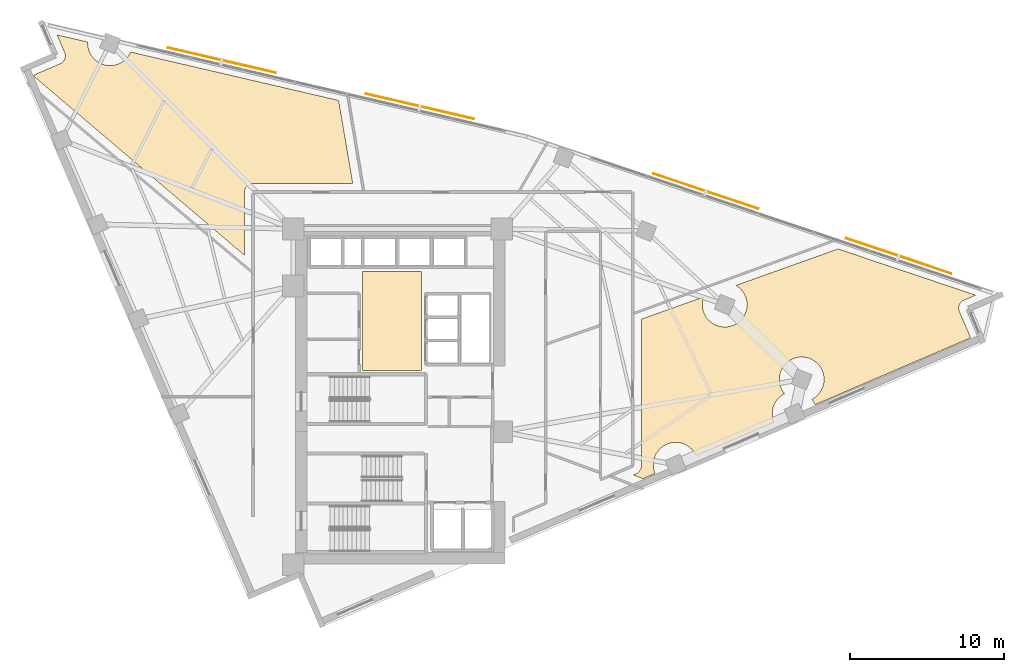
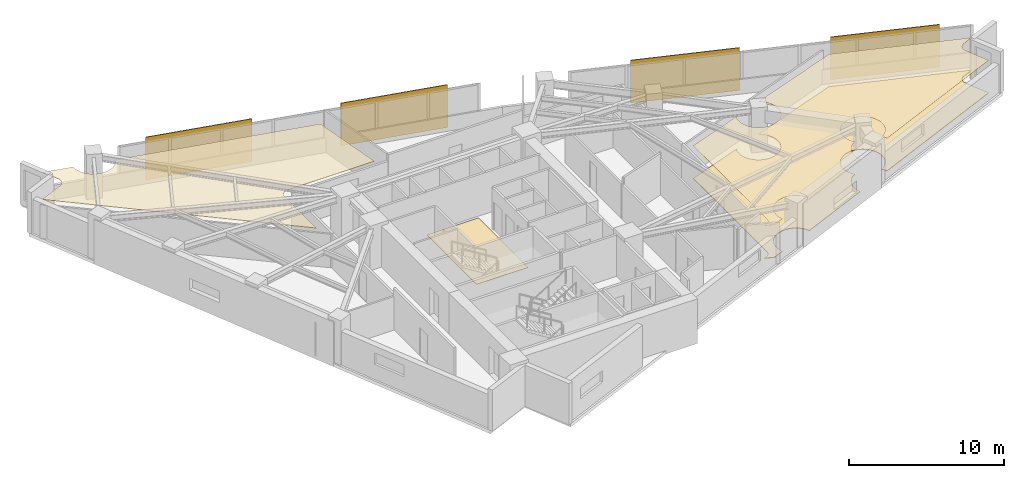
# One storey, part 14 of 14: 4 coverings, 4 shading devices.
"""IFC4 building model written with IfcOpenShell, lengths in metres."""

from ifc_helpers import new_model, si_unit, direction, frame, origin, origin_2d, place, context, subcontext, project, spatial, polyline, rectangle, outline, extrude, material, layer, layer_set, type_object, element, save


model = new_model("IFC4")

# Units and contexts
model_context = context("Model", 3, precision=1e-05, world=origin(), true_north=direction((0.0, 1.0)))
body_context = subcontext(model_context, "Body", "Model", "MODEL_VIEW")
ifc_project = project(units=[si_unit("LENGTHUNIT", "METRE"), si_unit("AREAUNIT", "SQUARE_METRE"), si_unit("VOLUMEUNIT", "CUBIC_METRE"), si_unit("PLANEANGLEUNIT", "RADIAN"), si_unit("MASSUNIT", "GRAM", prefix="KILO")], contexts=[model_context])

# Site, building, storey
site_placement = place(None, origin())
site = spatial("IfcSite", under=ifc_project, at=site_placement, CompositionType="ELEMENT")
building_placement = place(site_placement, origin())
building = spatial("IfcBuilding", under=site, at=building_placement, Name="Narakoshi Arena Tower", CompositionType="ELEMENT")
storey_placement = place(building_placement, frame((0.0, 0.0, 182.6201171875)))
storey = spatial("IfcBuildingStorey", under=building, at=storey_placement, Name="L49", CompositionType="ELEMENT", Elevation=182.6201171875)

# Coverings
ifc_material_1 = material(Name="Acoustic mineral-fibre ceiling tile")
ifc_layer_1 = layer(ifc_material_1, 0.02001953125)
ifc_layer_set_1 = layer_set([ifc_layer_1], Name="Acoustic mineral-fibre ceiling tile")
covering_type_1 = type_object("IfcCoveringType", Name="COV-CLG-AC20", PredefinedType="CEILING", material=ifc_layer_set_1)
covering_1_placement = place(storey_placement, frame((0.0, 0.0, 2.58984375)))
element("IfcCovering", 1, at=covering_1_placement, inside=storey, type_object=covering_type_1, Name="L49 Suspended Acoustic Ceiling 1", PredefinedType="CEILING", context=body_context, shape_type="SweptSolid", body=[
    extrude(outline(polyline([(94.26708984375, 40.621337890625), (94.31494140625, 40.644775390625), (94.360595703125, 40.672607421875), (94.403076171875, 40.705078125), (94.4423828125, 40.7412109375), (94.477783203125, 40.781005859375), (94.50927734375, 40.82421875), (94.53662109375, 40.8701171875), (94.55908203125, 40.91845703125), (94.576904296875, 40.96875), (94.589599609375, 41.0205078125), (94.597412109375, 41.073486328125), (94.60009765625, 41.126708984375), (94.60009765625, 50.64501953125), (98.656494140625, 52.09326171875), (98.625244140625, 52.00634765625), (98.5908203125, 51.868408203125), (98.56982421875, 51.7275390625), (98.56298828125, 51.58544921875), (98.56982421875, 51.443359375), (98.5908203125, 51.302490234375), (98.625244140625, 51.16455078125), (98.67333984375, 51.030517578125), (98.734130859375, 50.902099609375), (98.807373046875, 50.77978515625), (98.89208984375, 50.66552734375), (98.987548828125, 50.560302734375), (99.093017578125, 50.464599609375), (99.207275390625, 50.3798828125), (99.329345703125, 50.306640625), (99.4580078125, 50.245849609375), (99.592041015625, 50.197998046875), (99.72998046875, 50.163330078125), (99.870849609375, 50.142578125), (100.012939453125, 50.135498046875), (100.155029296875, 50.142578125), (100.2958984375, 50.163330078125), (100.433837890625, 50.197998046875), (100.56787109375, 50.245849609375), (100.6962890625, 50.306640625), (100.818603515625, 50.3798828125), (100.932861328125, 50.464599609375), (101.0380859375, 50.560302734375), (101.1337890625, 50.66552734375), (101.218505859375, 50.77978515625), (101.291748046875, 50.902099609375), (101.3525390625, 51.030517578125), (101.400390625, 51.16455078125), (101.43505859375, 51.302490234375), (101.455810546875, 51.443359375), (101.462890625, 51.58544921875), (101.455810546875, 51.7275390625), (101.43505859375, 51.868408203125), (101.400390625, 52.00634765625), (101.3525390625, 52.140380859375), (101.291748046875, 52.26904296875), (101.218505859375, 52.39111328125), (101.1337890625, 52.50537109375), (101.0380859375, 52.61083984375), (100.932861328125, 52.706298828125), (100.818603515625, 52.791015625), (100.740966796875, 52.837646484375), (107.366455078125, 55.20361328125), (116.30224609375, 52.20361328125), (115.52685546875, 51.870361328125), (115.478515625, 51.8466796875), (115.4326171875, 51.818359375), (115.3896484375, 51.78564453125), (115.35009765625, 51.748779296875), (115.314208984375, 51.70849609375), (115.28271484375, 51.664794921875), (115.255615234375, 51.617919921875), (115.233154296875, 51.56884765625), (115.215576171875, 51.517822265625), (115.203125, 51.46533203125), (115.196044921875, 51.411865234375), (115.194091796875, 51.35791015625), (115.197509765625, 51.303955078125), (115.2060546875, 51.250732421875), (115.2197265625, 51.198486328125), (115.23876953125, 51.14794921875), (115.97412109375, 49.435791015625), (105.87646484375, 45.09765625), (105.828125, 45.199951171875), (105.7548828125, 45.322021484375), (105.670166015625, 45.436279296875), (105.662109375, 45.4453125), (105.693359375, 45.4599609375), (105.8154296875, 45.533203125), (105.9296875, 45.617919921875), (106.03515625, 45.71337890625), (106.130859375, 45.81884765625), (106.215576171875, 45.93310546875), (106.288818359375, 46.055419921875), (106.349609375, 46.183837890625), (106.3974609375, 46.31787109375), (106.431884765625, 46.455810546875), (106.452880859375, 46.5966796875), (106.4599609375, 46.73876953125), (106.452880859375, 46.880859375), (106.431884765625, 47.021728515625), (106.3974609375, 47.15966796875), (106.349609375, 47.293701171875), (106.288818359375, 47.42236328125), (106.215576171875, 47.54443359375), (106.130859375, 47.65869140625), (106.03515625, 47.76416015625), (105.9296875, 47.859619140625), (105.8154296875, 47.9443359375), (105.693359375, 48.017578125), (105.564697265625, 48.078369140625), (105.430908203125, 48.12646484375), (105.292724609375, 48.160888671875), (105.152099609375, 48.181884765625), (105.010009765625, 48.188720703125), (104.867919921875, 48.181884765625), (104.72705078125, 48.160888671875), (104.589111328125, 48.12646484375), (104.455078125, 48.078369140625), (104.326416015625, 48.017578125), (104.204345703125, 47.9443359375), (104.090087890625, 47.859619140625), (103.984619140625, 47.76416015625), (103.888916015625, 47.65869140625), (103.80419921875, 47.54443359375), (103.731201171875, 47.42236328125), (103.67041015625, 47.293701171875), (103.622314453125, 47.15966796875), (103.587890625, 47.021728515625), (103.56689453125, 46.880859375), (103.559814453125, 46.73876953125), (103.56689453125, 46.5966796875), (103.587890625, 46.455810546875), (103.622314453125, 46.31787109375), (103.67041015625, 46.183837890625), (103.731201171875, 46.055419921875), (103.80419921875, 45.93310546875), (103.888916015625, 45.81884765625), (103.897216796875, 45.81005859375), (103.86572265625, 45.79541015625), (103.74365234375, 45.72216796875), (103.62939453125, 45.637451171875), (103.52392578125, 45.541748046875), (103.428466796875, 45.436279296875), (103.34375, 45.322021484375), (103.2705078125, 45.199951171875), (103.209716796875, 45.0712890625), (103.16162109375, 44.9375), (103.127197265625, 44.79931640625), (103.106201171875, 44.65869140625), (103.099365234375, 44.5166015625), (103.106201171875, 44.37451171875), (103.127197265625, 44.233642578125), (103.16162109375, 44.095703125), (103.209716796875, 43.961669921875), (103.21337890625, 43.95361328125), (98.1572265625, 41.78125), (98.10888671875, 41.883544921875), (98.03564453125, 42.005615234375), (97.950927734375, 42.1201171875), (97.85546875, 42.225341796875), (97.75, 42.321044921875), (97.6357421875, 42.40576171875), (97.513671875, 42.47900390625), (97.385009765625, 42.539794921875), (97.2509765625, 42.587646484375), (97.113037109375, 42.622314453125), (96.97216796875, 42.64306640625), (96.830078125, 42.650146484375), (96.68798828125, 42.64306640625), (96.547119140625, 42.622314453125), (96.4091796875, 42.587646484375), (96.275146484375, 42.539794921875), (96.146484375, 42.47900390625), (96.0244140625, 42.40576171875), (95.91015625, 42.321044921875), (95.8046875, 42.225341796875), (95.709228515625, 42.1201171875), (95.62451171875, 42.005615234375), (95.55126953125, 41.883544921875), (95.490478515625, 41.7548828125), (95.4423828125, 41.62109375), (95.407958984375, 41.48291015625), (95.38720703125, 41.34228515625), (95.380126953125, 41.2001953125), (95.38720703125, 41.05810546875), (95.407958984375, 40.917236328125), (95.4423828125, 40.779296875), (95.490478515625, 40.645263671875), (95.494384765625, 40.63720703125), (94.707763671875, 40.29931640625), (94.06884765625, 40.5361328125), (94.26708984375, 40.621337890625)])), origin(), (0.0, 0.0, 1.0), 0.02001953125),
])
ifc_material_2 = material(Name="Slatted oak acoustic timber baffle", Category="wood")
ifc_layer_2 = layer(ifc_material_2, 0.034912109375)
ifc_layer_set_2 = layer_set([ifc_layer_2], Name="Slatted oak acoustic timber baffle")
covering_type_2 = type_object("IfcCoveringType", Name="COV-CLG-WD35", PredefinedType="CEILING", material=ifc_layer_set_2)
covering_2_placement = place(storey_placement, frame((0.0, 0.0, 2.574951171875)))
element("IfcCovering", 2, at=covering_2_placement, inside=storey, type_object=covering_type_2, Name="L49 Suspended Acoustic Ceiling 2", PredefinedType="CEILING", context=body_context, shape_type="SweptSolid", body=[
    extrude(outline(polyline([(56.937255859375, 67.25), (56.983154296875, 67.2783203125), (57.02587890625, 67.31103515625), (57.065673828125, 67.347900390625), (57.101318359375, 67.38818359375), (57.1328125, 67.431884765625), (57.159912109375, 67.478759765625), (57.182373046875, 67.52783203125), (57.199951171875, 67.578857421875), (57.21240234375, 67.63134765625), (57.219482421875, 67.684814453125), (57.2216796875, 67.73876953125), (57.21826171875, 67.792724609375), (57.209716796875, 67.845947265625), (57.19580078125, 67.898193359375), (57.177001953125, 67.94873046875), (56.6845703125, 69.0947265625), (58.675537109375, 68.631103515625), (58.671630859375, 68.55126953125), (58.6787109375, 68.4091796875), (58.69970703125, 68.268310546875), (58.734130859375, 68.13037109375), (58.781982421875, 67.996337890625), (58.843017578125, 67.867919921875), (58.916015625, 67.74560546875), (59.000732421875, 67.63134765625), (59.096435546875, 67.52587890625), (59.201904296875, 67.430419921875), (59.316162109375, 67.345703125), (59.438232421875, 67.2724609375), (59.56689453125, 67.211669921875), (59.70068359375, 67.163818359375), (59.8388671875, 67.129150390625), (59.9794921875, 67.1083984375), (60.12158203125, 67.101318359375), (60.263916015625, 67.1083984375), (60.404541015625, 67.129150390625), (60.54248046875, 67.163818359375), (60.676513671875, 67.211669921875), (60.80517578125, 67.2724609375), (60.92724609375, 67.345703125), (61.04150390625, 67.430419921875), (61.14697265625, 67.52587890625), (61.24267578125, 67.63134765625), (61.327392578125, 67.74560546875), (61.400390625, 67.867919921875), (61.45556640625, 67.984130859375), (74.958251953125, 64.8408203125), (75.875, 59.449951171875), (69.39990234375, 59.449951171875), (69.34619140625, 59.447509765625), (69.292724609375, 59.439453125), (69.240234375, 59.42626953125), (69.189453125, 59.408203125), (69.140625, 59.385009765625), (69.094482421875, 59.357421875), (69.051025390625, 59.3251953125), (69.010986328125, 59.288818359375), (68.974853515625, 59.248779296875), (68.942626953125, 59.20556640625), (68.914794921875, 59.1591796875), (68.891845703125, 59.110595703125), (68.873779296875, 59.059814453125), (68.860595703125, 59.00732421875), (68.8525390625, 58.953857421875), (68.85009765625, 58.89990234375), (68.85009765625, 54.79052734375), (55.2333984375, 66.358642578125), (55.1767578125, 66.49072265625), (56.888671875, 67.226318359375), (56.937255859375, 67.25)])), origin(), (0.0, 0.0, 1.0), 0.034912109375),
])
ifc_material_3 = material(Name="Raised steel access floor panel", Category="steel")
ifc_layer_3 = layer(ifc_material_3, 0.044921875)
ifc_layer_set_3 = layer_set([ifc_layer_3], Name="Raised steel access floor panel")
covering_type_3 = type_object("IfcCoveringType", Name="COV-FLR-RF45", PredefinedType="FLOORING", material=ifc_layer_set_3)
covering_3_placement = place(storey_placement, origin())
element("IfcCovering", 3, at=covering_3_placement, inside=storey, type_object=covering_type_3, Name="L49 Raised Steel Access Floor", PredefinedType="FLOORING", context=body_context, shape_type="SweptSolid", body=[
    extrude(outline(polyline([(94.26708984375, 40.621337890625), (94.31494140625, 40.644775390625), (94.360595703125, 40.672607421875), (94.403076171875, 40.705078125), (94.4423828125, 40.7412109375), (94.477783203125, 40.781005859375), (94.50927734375, 40.82421875), (94.53662109375, 40.8701171875), (94.55908203125, 40.91845703125), (94.576904296875, 40.96875), (94.589599609375, 41.0205078125), (94.597412109375, 41.073486328125), (94.60009765625, 41.126708984375), (94.60009765625, 50.64501953125), (98.656494140625, 52.09326171875), (98.625244140625, 52.00634765625), (98.5908203125, 51.868408203125), (98.56982421875, 51.7275390625), (98.56298828125, 51.58544921875), (98.56982421875, 51.443359375), (98.5908203125, 51.302490234375), (98.625244140625, 51.16455078125), (98.67333984375, 51.030517578125), (98.734130859375, 50.902099609375), (98.807373046875, 50.77978515625), (98.89208984375, 50.66552734375), (98.987548828125, 50.560302734375), (99.093017578125, 50.464599609375), (99.207275390625, 50.3798828125), (99.329345703125, 50.306640625), (99.4580078125, 50.245849609375), (99.592041015625, 50.197998046875), (99.72998046875, 50.163330078125), (99.870849609375, 50.142578125), (100.012939453125, 50.135498046875), (100.155029296875, 50.142578125), (100.2958984375, 50.163330078125), (100.433837890625, 50.197998046875), (100.56787109375, 50.245849609375), (100.6962890625, 50.306640625), (100.818603515625, 50.3798828125), (100.932861328125, 50.464599609375), (101.0380859375, 50.560302734375), (101.1337890625, 50.66552734375), (101.218505859375, 50.77978515625), (101.291748046875, 50.902099609375), (101.3525390625, 51.030517578125), (101.400390625, 51.16455078125), (101.43505859375, 51.302490234375), (101.455810546875, 51.443359375), (101.462890625, 51.58544921875), (101.455810546875, 51.7275390625), (101.43505859375, 51.868408203125), (101.400390625, 52.00634765625), (101.3525390625, 52.140380859375), (101.291748046875, 52.26904296875), (101.218505859375, 52.39111328125), (101.1337890625, 52.50537109375), (101.0380859375, 52.61083984375), (100.932861328125, 52.706298828125), (100.818603515625, 52.791015625), (100.740966796875, 52.837646484375), (107.366455078125, 55.20361328125), (116.30224609375, 52.20361328125), (115.52685546875, 51.870361328125), (115.478515625, 51.8466796875), (115.4326171875, 51.818359375), (115.3896484375, 51.78564453125), (115.35009765625, 51.748779296875), (115.314208984375, 51.70849609375), (115.28271484375, 51.664794921875), (115.255615234375, 51.617919921875), (115.233154296875, 51.56884765625), (115.215576171875, 51.517822265625), (115.203125, 51.46533203125), (115.196044921875, 51.411865234375), (115.194091796875, 51.35791015625), (115.197509765625, 51.303955078125), (115.2060546875, 51.250732421875), (115.2197265625, 51.198486328125), (115.23876953125, 51.14794921875), (115.97412109375, 49.435791015625), (105.87646484375, 45.09765625), (105.828125, 45.199951171875), (105.7548828125, 45.322021484375), (105.670166015625, 45.436279296875), (105.662109375, 45.4453125), (105.693359375, 45.4599609375), (105.8154296875, 45.533203125), (105.9296875, 45.617919921875), (106.03515625, 45.71337890625), (106.130859375, 45.81884765625), (106.215576171875, 45.93310546875), (106.288818359375, 46.055419921875), (106.349609375, 46.183837890625), (106.3974609375, 46.31787109375), (106.431884765625, 46.455810546875), (106.452880859375, 46.5966796875), (106.4599609375, 46.73876953125), (106.452880859375, 46.880859375), (106.431884765625, 47.021728515625), (106.3974609375, 47.15966796875), (106.349609375, 47.293701171875), (106.288818359375, 47.42236328125), (106.215576171875, 47.54443359375), (106.130859375, 47.65869140625), (106.03515625, 47.76416015625), (105.9296875, 47.859619140625), (105.8154296875, 47.9443359375), (105.693359375, 48.017578125), (105.564697265625, 48.078369140625), (105.430908203125, 48.12646484375), (105.292724609375, 48.160888671875), (105.152099609375, 48.181884765625), (105.010009765625, 48.188720703125), (104.867919921875, 48.181884765625), (104.72705078125, 48.160888671875), (104.589111328125, 48.12646484375), (104.455078125, 48.078369140625), (104.326416015625, 48.017578125), (104.204345703125, 47.9443359375), (104.090087890625, 47.859619140625), (103.984619140625, 47.76416015625), (103.888916015625, 47.65869140625), (103.80419921875, 47.54443359375), (103.731201171875, 47.42236328125), (103.67041015625, 47.293701171875), (103.622314453125, 47.15966796875), (103.587890625, 47.021728515625), (103.56689453125, 46.880859375), (103.559814453125, 46.73876953125), (103.56689453125, 46.5966796875), (103.587890625, 46.455810546875), (103.622314453125, 46.31787109375), (103.67041015625, 46.183837890625), (103.731201171875, 46.055419921875), (103.80419921875, 45.93310546875), (103.888916015625, 45.81884765625), (103.897216796875, 45.81005859375), (103.86572265625, 45.79541015625), (103.74365234375, 45.72216796875), (103.62939453125, 45.637451171875), (103.52392578125, 45.541748046875), (103.428466796875, 45.436279296875), (103.34375, 45.322021484375), (103.2705078125, 45.199951171875), (103.209716796875, 45.0712890625), (103.16162109375, 44.9375), (103.127197265625, 44.79931640625), (103.106201171875, 44.65869140625), (103.099365234375, 44.5166015625), (103.106201171875, 44.37451171875), (103.127197265625, 44.233642578125), (103.16162109375, 44.095703125), (103.209716796875, 43.961669921875), (103.21337890625, 43.95361328125), (98.1572265625, 41.78125), (98.10888671875, 41.883544921875), (98.03564453125, 42.005615234375), (97.950927734375, 42.1201171875), (97.85546875, 42.225341796875), (97.75, 42.321044921875), (97.6357421875, 42.40576171875), (97.513671875, 42.47900390625), (97.385009765625, 42.539794921875), (97.2509765625, 42.587646484375), (97.113037109375, 42.622314453125), (96.97216796875, 42.64306640625), (96.830078125, 42.650146484375), (96.68798828125, 42.64306640625), (96.547119140625, 42.622314453125), (96.4091796875, 42.587646484375), (96.275146484375, 42.539794921875), (96.146484375, 42.47900390625), (96.0244140625, 42.40576171875), (95.91015625, 42.321044921875), (95.8046875, 42.225341796875), (95.709228515625, 42.1201171875), (95.62451171875, 42.005615234375), (95.55126953125, 41.883544921875), (95.490478515625, 41.7548828125), (95.4423828125, 41.62109375), (95.407958984375, 41.48291015625), (95.38720703125, 41.34228515625), (95.380126953125, 41.2001953125), (95.38720703125, 41.05810546875), (95.407958984375, 40.917236328125), (95.4423828125, 40.779296875), (95.490478515625, 40.645263671875), (95.494384765625, 40.63720703125), (94.707763671875, 40.29931640625), (94.06884765625, 40.5361328125), (94.26708984375, 40.621337890625)])), origin(), (0.0, 0.0, 1.0), 0.044921875),
])
ifc_material_4 = material(Name="Honed granite stone paving", Category="masonry")
ifc_layer_4 = layer(ifc_material_4, 0.030029296875)
ifc_layer_set_4 = layer_set([ifc_layer_4], Name="Honed granite stone paving")
covering_type_4 = type_object("IfcCoveringType", Name="COV-FLR-ST30", PredefinedType="FLOORING", material=ifc_layer_set_4)
covering_4_placement = place(storey_placement, origin())
element("IfcCovering", 4, at=covering_4_placement, inside=storey, type_object=covering_type_4, Name="L49 Lift Lobby Granite Flooring", PredefinedType="FLOORING", context=body_context, shape_type="SweptSolid", body=[
    extrude(outline(polyline([(76.5, 47.300048828125), (80.35009765625, 47.300048828125), (80.35009765625, 53.75), (76.5, 53.75), (76.5, 47.300048828125)])), origin(), (0.0, 0.0, 1.0), 0.02978515625),
])

# Shading devices
ifc_material_5 = material(Name="Perforated bronze ceramic-metal composite")
ifc_layer_5 = layer(ifc_material_5, 0.06005859375)
ifc_layer_set_5 = layer_set([ifc_layer_5], Name="Perforated bronze ceramic-metal composite")
shading_device_type = type_object("IfcShadingDeviceType", Name="SHD-SCR-BRZ2", PredefinedType="USERDEFINED", material=ifc_layer_set_5)
for number, where, z_axis, x_axis, name in (
    (5, (111.30126953125, 54.747314453125, -0.000244140625), (0.0, 0.0, 1.0), (-0.948001964735, 0.318264473134, 0.0), "L49 Perforated Bronze Solar Screen 1-1"),
    (6, (98.78759765625, 58.948486328125, -0.000244140625), (0.0, 0.0, 1.0), (-0.948001964735, 0.318264473134, 0.0), "L49 Perforated Bronze Solar Screen 1-2"),
    (7, (80.23193359375, 64.455078125, -0.000244140625), (0.0, 0.0, 1.0), (-0.973960141659, 0.226719303234, 0.0), "L49 Perforated Bronze Solar Screen 2-1"),
    (8, (67.37548828125, 67.447998046875, -0.000244140625), (0.0, 0.0, 1.0), (-0.973960141659, 0.226719303234, 0.0), "L49 Perforated Bronze Solar Screen 2-2"),
):
    element("IfcShadingDevice", number, at=place(storey_placement, frame(where, z_axis=z_axis, x_axis=x_axis)), inside=storey, type_object=shading_device_type, Name=name, ObjectType="SOLAR SCREEN", PredefinedType="USERDEFINED", context=body_context, shape_type="SweptSolid", body=[
        extrude(rectangle(XDim=7.199951171875, YDim=0.06005859375, at=origin_2d()), origin(), (0.0, 0.0, 1.0), 3.3701171875),
    ])

save(model, "model.ifc")
